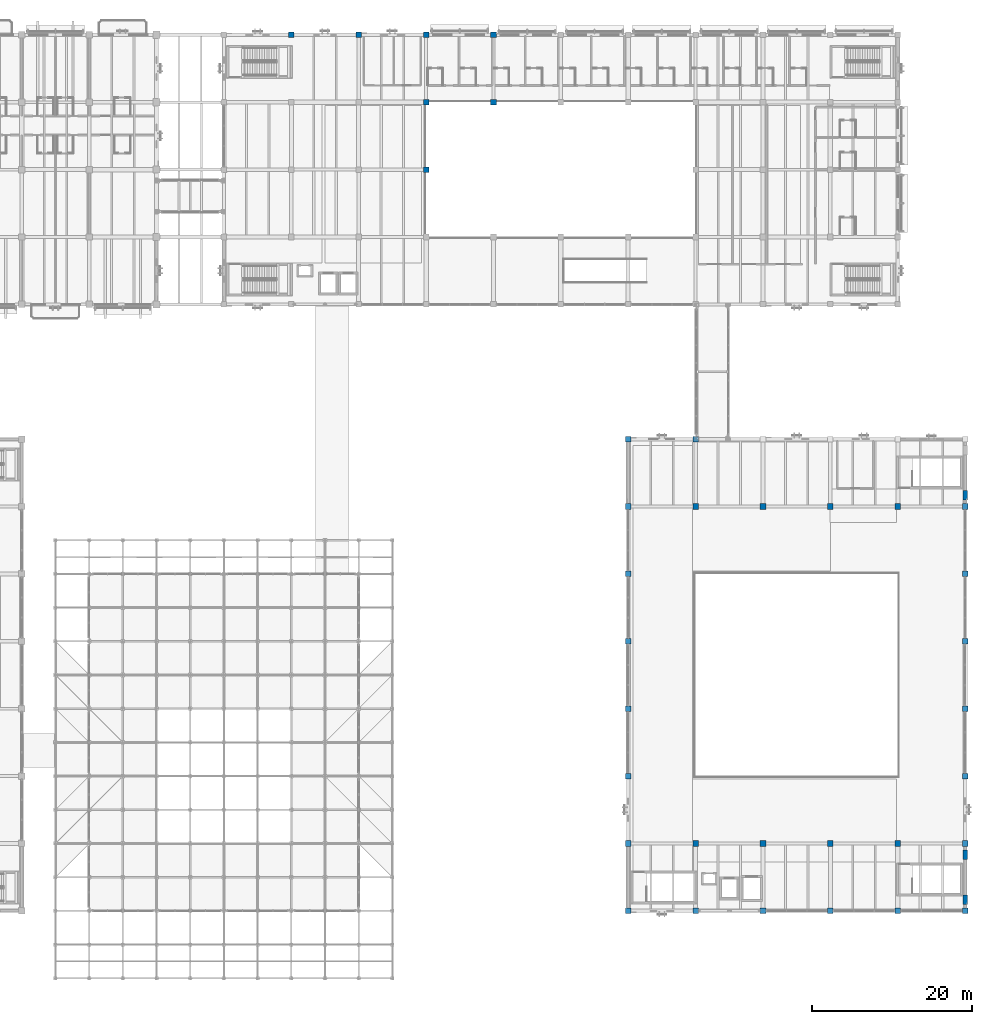
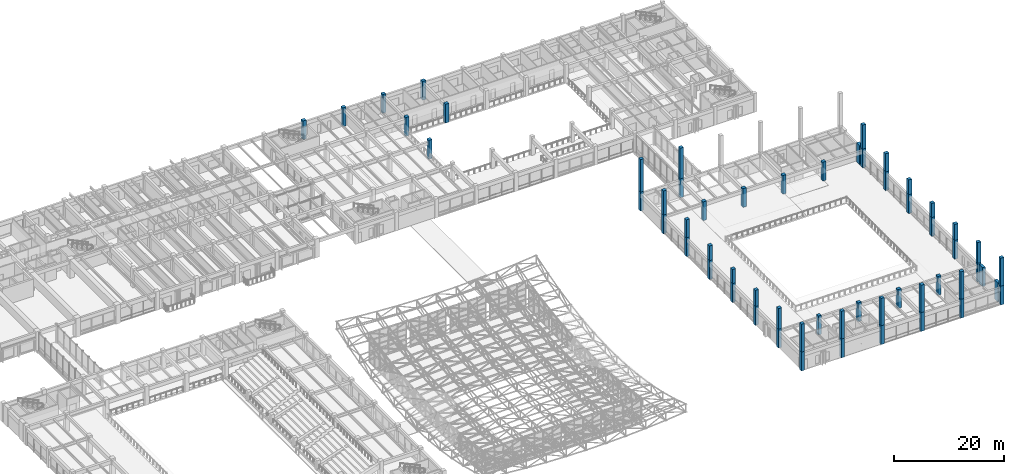
# One storey, part 6 of 132: 58 columns.
"""IFC4 building model written with IfcOpenShell, lengths in metres."""

from ifc_helpers import new_model, si_unit, direction, frame, origin, origin_2d, place, context, subcontext, project, spatial, rectangle, extrude, material, material_profile, profile_set, type_object, element, save


model = new_model("IFC4")

# Units and contexts
model_context = context("Model", 3, precision=1e-05, world=origin(), true_north=direction((0.0, 1.0)))
body_context = subcontext(model_context, "Body", "Model", "MODEL_VIEW")
ifc_project = project(units=[si_unit("LENGTHUNIT", "METRE"), si_unit("AREAUNIT", "SQUARE_METRE"), si_unit("VOLUMEUNIT", "CUBIC_METRE"), si_unit("PLANEANGLEUNIT", "RADIAN"), si_unit("MASSUNIT", "GRAM", prefix="KILO")], contexts=[model_context])

# Site, building, storey
site_placement = place(None, origin())
site = spatial("IfcSite", under=ifc_project, at=site_placement, CompositionType="ELEMENT")
building_placement = place(site_placement, origin())
building = spatial("IfcBuilding", under=site, at=building_placement, Name="Cumbredor Promenade Congress Hotel", CompositionType="ELEMENT")
storey_placement = place(building_placement, frame((0.0, 0.0, 7.56005859375)))
storey = spatial("IfcBuildingStorey", under=building, at=storey_placement, Name="L02", CompositionType="ELEMENT", Elevation=7.56005859375)

# Columns
ifc_material_1 = material(Name="Concrete C40/50", Category="concrete")
ifc_material_profile_1 = material_profile(ifc_material_1, rectangle(XDim=0.699951171875, YDim=0.699951171875, at=origin_2d()), Name="RC 700x700")
ifc_profile_set_1 = profile_set([ifc_material_profile_1], Name="Concrete C40/50")
column_type_1 = type_object("IfcColumnType", Name="COL-RC-700", PredefinedType="COLUMN", material=ifc_profile_set_1)
for number, where, z_axis, x_axis, name in (
    (1, (100.800048828125, 117.60009765625, 0.0), (0.0, 0.0, 1.0), (1.0, 0.0, 0.0), "L02 Structural Column 110"),
    (2, (109.199951171875, 117.60009765625, 0.0), (0.0, 0.0, 1.0), (1.0, 0.0, 0.0), "L02 Structural Column 115"),
    (3, (117.60009765625, 100.800048828125, 0.0), (0.0, 0.0, 1.0), (1.0, 0.0, 0.0), "L02 Structural Column 118"),
    (4, (117.60009765625, 109.199951171875, 0.0), (0.0, 0.0, 1.0), (1.0, 0.0, 0.0), "L02 Structural Column 119"),
    (5, (117.60009765625, 117.60009765625, 0.0), (0.0, 0.0, 1.0), (1.0, 0.0, 0.0), "L02 Structural Column 120"),
    (6, (126.0, 109.199951171875, 0.0), (0.0, 0.0, 1.0), (1.0, 0.0, 0.0), "L02 Structural Column 123"),
    (7, (126.0, 117.60009765625, 0.0), (0.0, 0.0, 1.0), (1.0, 0.0, 0.0), "L02 Structural Column 124"),
    (8, (142.800048828125, 8.39990234375, 0.0), (0.0, 0.0, 1.0), (1.0, 0.0, 0.0), "L02 Structural Column 129"),
    (9, (142.800048828125, 16.800048828125, 0.0), (0.0, 0.0, 1.0), (1.0, 0.0, 0.0), "L02 Structural Column 130"),
    (10, (142.800048828125, 25.199951171875, 0.0), (0.0, 0.0, 1.0), (1.0, 0.0, 0.0), "L02 Structural Column 131"),
    (11, (142.800048828125, 33.60009765625, 0.0), (0.0, 0.0, 1.0), (1.0, 0.0, 0.0), "L02 Structural Column 132"),
    (12, (142.800048828125, 42.0, 0.0), (0.0, 0.0, 1.0), (1.0, 0.0, 0.0), "L02 Structural Column 133"),
    (13, (142.800048828125, 50.39990234375, 0.0), (0.0, 0.0, 1.0), (1.0, 0.0, 0.0), "L02 Structural Column 134"),
    (14, (142.800048828125, 58.800048828125, 0.0), (0.0, 0.0, 1.0), (1.0, 0.0, 0.0), "L02 Structural Column 135"),
    (15, (142.800048828125, 67.199951171875, 0.0), (0.0, 0.0, 1.0), (1.0, 0.0, 0.0), "L02 Structural Column 136"),
    (16, (151.199951171875, 8.39990234375, 0.0), (0.0, 0.0, 1.0), (1.0, 0.0, 0.0), "L02 Structural Column 141"),
    (17, (151.199951171875, 16.800048828125, 0.0), (0.0, 0.0, 1.0), (1.0, 0.0, 0.0), "L02 Structural Column 142"),
    (18, (151.199951171875, 58.800048828125, 0.0), (0.0, 0.0, 1.0), (1.0, 0.0, 0.0), "L02 Structural Column 143"),
    (19, (151.199951171875, 67.199951171875, 0.0), (0.0, 0.0, 1.0), (1.0, 0.0, 0.0), "L02 Structural Column 144"),
    (20, (159.60009765625, 8.39990234375, 0.0), (0.0, 0.0, 1.0), (1.0, 0.0, 0.0), "L02 Structural Column 150"),
    (21, (159.60009765625, 16.800048828125, 0.0), (0.0, 0.0, 1.0), (1.0, 0.0, 0.0), "L02 Structural Column 151"),
    (22, (159.60009765625, 58.800048828125, 0.0), (0.0, 0.0, 1.0), (1.0, 0.0, 0.0), "L02 Structural Column 152"),
    (23, (168.0, 8.39990234375, 0.0), (0.0, 0.0, 1.0), (1.0, 0.0, 0.0), "L02 Structural Column 159"),
    (24, (168.0, 16.800048828125, 0.0), (0.0, 0.0, 1.0), (1.0, 0.0, 0.0), "L02 Structural Column 160"),
    (25, (168.0, 58.800048828125, 0.0), (0.0, 0.0, 1.0), (1.0, 0.0, 0.0), "L02 Structural Column 161"),
    (26, (176.39990234375, 8.39990234375, 0.0), (0.0, 0.0, 1.0), (1.0, 0.0, 0.0), "L02 Structural Column 168"),
    (27, (176.39990234375, 16.800048828125, 0.0), (0.0, 0.0, 1.0), (1.0, 0.0, 0.0), "L02 Structural Column 169"),
    (28, (176.39990234375, 58.800048828125, 0.0), (0.0, 0.0, 1.0), (1.0, 0.0, 0.0), "L02 Structural Column 170"),
    (29, (184.800048828125, 8.39990234375, 0.0), (0.0, 0.0, 1.0), (1.0, 0.0, 0.0), "L02 Structural Column 177"),
    (30, (184.800048828125, 16.800048828125, 0.0), (0.0, 0.0, 1.0), (1.0, 0.0, 0.0), "L02 Structural Column 178"),
    (31, (184.800048828125, 25.199951171875, 0.0), (0.0, 0.0, 1.0), (1.0, 0.0, 0.0), "L02 Structural Column 179"),
    (32, (184.800048828125, 33.60009765625, 0.0), (0.0, 0.0, 1.0), (1.0, 0.0, 0.0), "L02 Structural Column 180"),
    (33, (184.800048828125, 42.0, 0.0), (0.0, 0.0, 1.0), (1.0, 0.0, 0.0), "L02 Structural Column 181"),
    (34, (184.800048828125, 50.39990234375, 0.0), (0.0, 0.0, 1.0), (1.0, 0.0, 0.0), "L02 Structural Column 182"),
    (35, (184.800048828125, 58.800048828125, 0.0), (0.0, 0.0, 1.0), (1.0, 0.0, 0.0), "L02 Structural Column 183"),
):
    element("IfcColumn", number, at=place(storey_placement, frame(where, z_axis=z_axis, x_axis=x_axis)), inside=storey, type_object=column_type_1, Name=name, PredefinedType="COLUMN", context=body_context, shape_type="SweptSolid", body=[
        extrude(rectangle(XDim=0.699951171875, YDim=0.699951171875, at=origin_2d()), origin(), (0.0, 0.0, 1.0), 4.199951171875),
    ])
column_1_placement = place(storey_placement, frame((142.800048828125, 8.39990234375, 4.199951171875), z_axis=(0.0, 0.0, 1.0), x_axis=(1.0, 0.0, 0.0)))
element("IfcColumn", 36, at=column_1_placement, inside=storey, type_object=column_type_1, Name="Grand Ballroom Pavilion Clerestory Column Extension 01", PredefinedType="COLUMN", context=body_context, shape_type="SweptSolid", body=[
    extrude(rectangle(XDim=0.699951171875, YDim=0.699951171875, at=origin_2d()), origin(), (0.0, 0.0, 1.0), 6.22119140625),
])
column_2_placement = place(storey_placement, frame((142.800048828125, 16.800048828125, 4.199951171875), z_axis=(0.0, 0.0, 1.0), x_axis=(1.0, 0.0, 0.0)))
element("IfcColumn", 37, at=column_2_placement, inside=storey, type_object=column_type_1, Name="Grand Ballroom Pavilion Clerestory Column Extension 02", PredefinedType="COLUMN", context=body_context, shape_type="SweptSolid", body=[
    extrude(rectangle(XDim=0.699951171875, YDim=0.699951171875, at=origin_2d()), origin(), (0.0, 0.0, 1.0), 4.612060546875),
])
column_3_placement = place(storey_placement, frame((142.800048828125, 25.199951171875, 4.199951171875), z_axis=(0.0, 0.0, 1.0), x_axis=(1.0, 0.0, 0.0)))
element("IfcColumn", 38, at=column_3_placement, inside=storey, type_object=column_type_1, Name="Grand Ballroom Pavilion Clerestory Column Extension 03", PredefinedType="COLUMN", context=body_context, shape_type="SweptSolid", body=[
    extrude(rectangle(XDim=0.699951171875, YDim=0.699951171875, at=origin_2d()), origin(), (0.0, 0.0, 1.0), 3.58740234375),
])
column_4_placement = place(storey_placement, frame((142.800048828125, 33.60009765625, 4.199951171875), z_axis=(0.0, 0.0, 1.0), x_axis=(1.0, 0.0, 0.0)))
element("IfcColumn", 39, at=column_4_placement, inside=storey, type_object=column_type_1, Name="Grand Ballroom Pavilion Clerestory Column Extension 04", PredefinedType="COLUMN", context=body_context, shape_type="SweptSolid", body=[
    extrude(rectangle(XDim=0.699951171875, YDim=0.699951171875, at=origin_2d()), origin(), (0.0, 0.0, 1.0), 3.148193359375),
])
column_5_placement = place(storey_placement, frame((142.800048828125, 42.0, 4.199951171875), z_axis=(0.0, 0.0, 1.0), x_axis=(1.0, 0.0, 0.0)))
element("IfcColumn", 40, at=column_5_placement, inside=storey, type_object=column_type_1, Name="Grand Ballroom Pavilion Clerestory Column Extension 05", PredefinedType="COLUMN", context=body_context, shape_type="SweptSolid", body=[
    extrude(rectangle(XDim=0.699951171875, YDim=0.699951171875, at=origin_2d()), origin(), (0.0, 0.0, 1.0), 3.294677734375),
])
column_6_placement = place(storey_placement, frame((142.800048828125, 50.39990234375, 4.199951171875), z_axis=(0.0, 0.0, 1.0), x_axis=(1.0, 0.0, 0.0)))
element("IfcColumn", 41, at=column_6_placement, inside=storey, type_object=column_type_1, Name="Grand Ballroom Pavilion Clerestory Column Extension 06", PredefinedType="COLUMN", context=body_context, shape_type="SweptSolid", body=[
    extrude(rectangle(XDim=0.699951171875, YDim=0.699951171875, at=origin_2d()), origin(), (0.0, 0.0, 1.0), 4.026611328125),
])
column_7_placement = place(storey_placement, frame((142.800048828125, 58.800048828125, 4.199951171875), z_axis=(0.0, 0.0, 1.0), x_axis=(1.0, 0.0, 0.0)))
element("IfcColumn", 42, at=column_7_placement, inside=storey, type_object=column_type_1, Name="Grand Ballroom Pavilion Clerestory Column Extension 07", PredefinedType="COLUMN", context=body_context, shape_type="SweptSolid", body=[
    extrude(rectangle(XDim=0.699951171875, YDim=0.699951171875, at=origin_2d()), origin(), (0.0, 0.0, 1.0), 5.343505859375),
])
column_8_placement = place(storey_placement, frame((142.800048828125, 67.199951171875, 4.199951171875), z_axis=(0.0, 0.0, 1.0), x_axis=(1.0, 0.0, 0.0)))
element("IfcColumn", 43, at=column_8_placement, inside=storey, type_object=column_type_1, Name="Grand Ballroom Pavilion Clerestory Column Extension 08", PredefinedType="COLUMN", context=body_context, shape_type="SweptSolid", body=[
    extrude(rectangle(XDim=0.699951171875, YDim=0.699951171875, at=origin_2d()), origin(), (0.0, 0.0, 1.0), 7.244384765625),
])
column_9_placement = place(storey_placement, frame((151.199951171875, 8.39990234375, 4.199951171875), z_axis=(0.0, 0.0, 1.0), x_axis=(1.0, 0.0, 0.0)))
element("IfcColumn", 44, at=column_9_placement, inside=storey, type_object=column_type_1, Name="Grand Ballroom Pavilion Clerestory Column Extension 09", PredefinedType="COLUMN", context=body_context, shape_type="SweptSolid", body=[
    extrude(rectangle(XDim=0.699951171875, YDim=0.699951171875, at=origin_2d()), origin(), (0.0, 0.0, 1.0), 6.135498046875),
])
column_10_placement = place(storey_placement, frame((151.199951171875, 67.199951171875, 4.199951171875), z_axis=(0.0, 0.0, 1.0), x_axis=(1.0, 0.0, 0.0)))
element("IfcColumn", 45, at=column_10_placement, inside=storey, type_object=column_type_1, Name="Grand Ballroom Pavilion Clerestory Column Extension 10", PredefinedType="COLUMN", context=body_context, shape_type="SweptSolid", body=[
    extrude(rectangle(XDim=0.699951171875, YDim=0.699951171875, at=origin_2d()), origin(), (0.0, 0.0, 1.0), 6.8505859375),
])
for number, where, z_axis, x_axis, name in (
    (46, (159.60009765625, 8.39990234375, 4.199951171875), (0.0, 0.0, 1.0), (1.0, 0.0, 0.0), "Grand Ballroom Pavilion Clerestory Column Extension 11"),
    (47, (168.0, 8.39990234375, 4.199951171875), (0.0, 0.0, 1.0), (1.0, 0.0, 0.0), "Grand Ballroom Pavilion Clerestory Column Extension 13"),
):
    element("IfcColumn", number, at=place(storey_placement, frame(where, z_axis=z_axis, x_axis=x_axis)), inside=storey, type_object=column_type_1, Name=name, PredefinedType="COLUMN", context=body_context, shape_type="SweptSolid", body=[
        extrude(rectangle(XDim=0.699951171875, YDim=0.699951171875, at=origin_2d()), origin(), (0.0, 0.0, 1.0), 6.09228515625),
    ])
column_11_placement = place(storey_placement, frame((176.39990234375, 8.39990234375, 4.199951171875), z_axis=(0.0, 0.0, 1.0), x_axis=(1.0, 0.0, 0.0)))
element("IfcColumn", 48, at=column_11_placement, inside=storey, type_object=column_type_1, Name="Grand Ballroom Pavilion Clerestory Column Extension 15", PredefinedType="COLUMN", context=body_context, shape_type="SweptSolid", body=[
    extrude(rectangle(XDim=0.699951171875, YDim=0.699951171875, at=origin_2d()), origin(), (0.0, 0.0, 1.0), 6.135498046875),
])
column_12_placement = place(storey_placement, frame((184.800048828125, 8.39990234375, 4.199951171875), z_axis=(0.0, 0.0, 1.0), x_axis=(1.0, 0.0, 0.0)))
element("IfcColumn", 49, at=column_12_placement, inside=storey, type_object=column_type_1, Name="Grand Ballroom Pavilion Clerestory Column Extension 17", PredefinedType="COLUMN", context=body_context, shape_type="SweptSolid", body=[
    extrude(rectangle(XDim=0.699951171875, YDim=0.699951171875, at=origin_2d()), origin(), (0.0, 0.0, 1.0), 6.22119140625),
])
column_13_placement = place(storey_placement, frame((184.800048828125, 16.800048828125, 4.199951171875), z_axis=(0.0, 0.0, 1.0), x_axis=(1.0, 0.0, 0.0)))
element("IfcColumn", 50, at=column_13_placement, inside=storey, type_object=column_type_1, Name="Grand Ballroom Pavilion Clerestory Column Extension 18", PredefinedType="COLUMN", context=body_context, shape_type="SweptSolid", body=[
    extrude(rectangle(XDim=0.699951171875, YDim=0.699951171875, at=origin_2d()), origin(), (0.0, 0.0, 1.0), 4.612060546875),
])
column_14_placement = place(storey_placement, frame((184.800048828125, 25.199951171875, 4.199951171875), z_axis=(0.0, 0.0, 1.0), x_axis=(1.0, 0.0, 0.0)))
element("IfcColumn", 51, at=column_14_placement, inside=storey, type_object=column_type_1, Name="Grand Ballroom Pavilion Clerestory Column Extension 19", PredefinedType="COLUMN", context=body_context, shape_type="SweptSolid", body=[
    extrude(rectangle(XDim=0.699951171875, YDim=0.699951171875, at=origin_2d()), origin(), (0.0, 0.0, 1.0), 3.58740234375),
])
column_15_placement = place(storey_placement, frame((184.800048828125, 33.60009765625, 4.199951171875), z_axis=(0.0, 0.0, 1.0), x_axis=(1.0, 0.0, 0.0)))
element("IfcColumn", 52, at=column_15_placement, inside=storey, type_object=column_type_1, Name="Grand Ballroom Pavilion Clerestory Column Extension 20", PredefinedType="COLUMN", context=body_context, shape_type="SweptSolid", body=[
    extrude(rectangle(XDim=0.699951171875, YDim=0.699951171875, at=origin_2d()), origin(), (0.0, 0.0, 1.0), 3.148193359375),
])
column_16_placement = place(storey_placement, frame((184.800048828125, 42.0, 4.199951171875), z_axis=(0.0, 0.0, 1.0), x_axis=(1.0, 0.0, 0.0)))
element("IfcColumn", 53, at=column_16_placement, inside=storey, type_object=column_type_1, Name="Grand Ballroom Pavilion Clerestory Column Extension 21", PredefinedType="COLUMN", context=body_context, shape_type="SweptSolid", body=[
    extrude(rectangle(XDim=0.699951171875, YDim=0.699951171875, at=origin_2d()), origin(), (0.0, 0.0, 1.0), 3.294677734375),
])
column_17_placement = place(storey_placement, frame((184.800048828125, 50.39990234375, 4.199951171875), z_axis=(0.0, 0.0, 1.0), x_axis=(1.0, 0.0, 0.0)))
element("IfcColumn", 54, at=column_17_placement, inside=storey, type_object=column_type_1, Name="Grand Ballroom Pavilion Clerestory Column Extension 22", PredefinedType="COLUMN", context=body_context, shape_type="SweptSolid", body=[
    extrude(rectangle(XDim=0.699951171875, YDim=0.699951171875, at=origin_2d()), origin(), (0.0, 0.0, 1.0), 4.026611328125),
])
column_18_placement = place(storey_placement, frame((184.800048828125, 58.800048828125, 4.199951171875), z_axis=(0.0, 0.0, 1.0), x_axis=(1.0, 0.0, 0.0)))
element("IfcColumn", 55, at=column_18_placement, inside=storey, type_object=column_type_1, Name="Grand Ballroom Pavilion Clerestory Column Extension 23", PredefinedType="COLUMN", context=body_context, shape_type="SweptSolid", body=[
    extrude(rectangle(XDim=0.699951171875, YDim=0.699951171875, at=origin_2d()), origin(), (0.0, 0.0, 1.0), 5.343505859375),
])
ifc_material_2 = material(Name="Concrete C50/60", Category="concrete")
ifc_material_profile_2 = material_profile(ifc_material_2, rectangle(XDim=0.60009765625, YDim=1.199951171875, at=origin_2d()), Name="RC PILASTER 1200x600")
ifc_profile_set_2 = profile_set([ifc_material_profile_2], Name="Concrete C50/60")
column_type_2 = type_object("IfcColumnType", Name="PIL-RC-1200x600", PredefinedType="PILASTER", material=ifc_profile_set_2)
for number, where, z_axis, x_axis, name in (
    (56, (184.800048828125, 9.800048828125, 0.0), (0.0, 0.0, 1.0), (1.0, 0.0, 0.0), "L02 Acoustic Seismic Pilaster 037"),
    (57, (184.800048828125, 15.39990234375, 0.0), (0.0, 0.0, 1.0), (1.0, 0.0, 0.0), "L02 Acoustic Seismic Pilaster 038"),
    (58, (184.800048828125, 60.199951171875, 0.0), (0.0, 0.0, 1.0), (1.0, 0.0, 0.0), "L02 Acoustic Seismic Pilaster 039"),
):
    element("IfcColumn", number, at=place(storey_placement, frame(where, z_axis=z_axis, x_axis=x_axis)), inside=storey, type_object=column_type_2, Name=name, PredefinedType="PILASTER", context=body_context, shape_type="SweptSolid", body=[
        extrude(rectangle(XDim=0.60009765625, YDim=1.199951171875, at=origin_2d()), origin(), (0.0, 0.0, 1.0), 4.199951171875),
    ])

save(model, "model.ifc")
